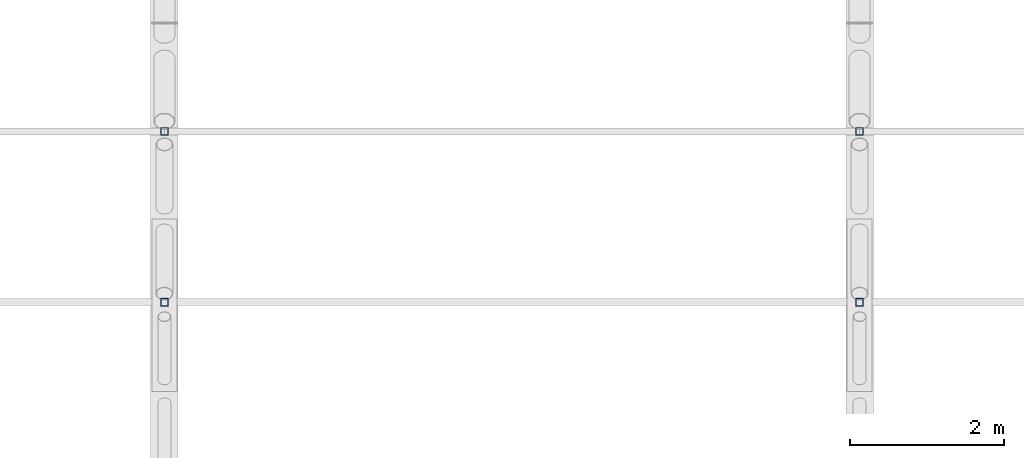
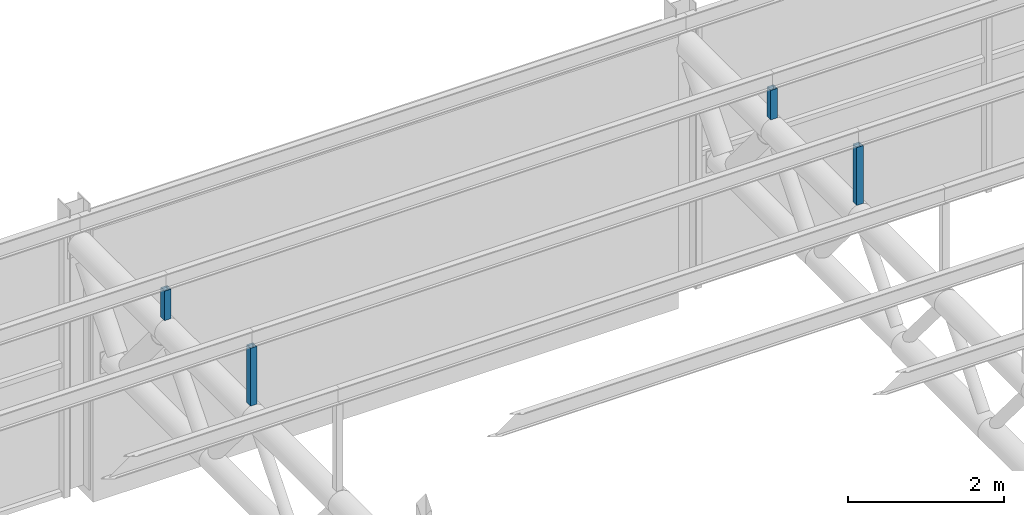
# One storey, part 95 of 138: 4 members.
"""IFC4 building model written with IfcOpenShell, lengths in metres."""

from ifc_helpers import new_model, si_unit, direction, frame, origin, origin_2d, place, context, subcontext, project, spatial, hollow_rectangle, extrude, material, material_profile, profile_set, type_object, element, save


model = new_model("IFC4")

# Units and contexts
model_context = context("Model", 3, precision=1e-05, world=origin(), true_north=direction((0.0, 1.0)))
body_context = subcontext(model_context, "Body", "Model", "MODEL_VIEW")
ifc_project = project(units=[si_unit("LENGTHUNIT", "METRE"), si_unit("AREAUNIT", "SQUARE_METRE"), si_unit("VOLUMEUNIT", "CUBIC_METRE"), si_unit("PLANEANGLEUNIT", "RADIAN"), si_unit("MASSUNIT", "GRAM", prefix="KILO")], contexts=[model_context])

# Site, building, storey
site_placement = place(None, origin())
site = spatial("IfcSite", under=ifc_project, at=site_placement, CompositionType="ELEMENT")
building_placement = place(site_placement, origin())
building = spatial("IfcBuilding", under=site, at=building_placement, Name="Corbel Yard City Hall", CompositionType="ELEMENT")
storey_placement = place(building_placement, frame((0.0, 0.0, 10.5)))
storey = spatial("IfcBuildingStorey", under=building, at=storey_placement, Name="L02", CompositionType="ELEMENT", Elevation=10.5)

# Members
ifc_material = material(Name="Steel Grade C450L0", Category="steel")
ifc_material_profile = material_profile(ifc_material, hollow_rectangle(XDim=0.10009765625, YDim=0.10009765625, WallThickness=0.006103515625, at=origin_2d()), Name="100x100x6.0SHS")
ifc_profile_set = profile_set([ifc_material_profile], Name="Steel Grade C450L0")
member_type = type_object("IfcMemberType", Name="Roof post 100x100x6.0SHS", PredefinedType="POST", material=ifc_profile_set)
member_1_placement = place(storey_placement, frame((117.0, 22.423828125, 4.10009765625), z_axis=(0.0, 0.0, 1.0), x_axis=(1.0, 0.0, 0.0)))
element("IfcMember", 1, at=member_1_placement, inside=storey, type_object=member_type, Name="Roof post 100x100x6.0SHS RP3", PredefinedType="POST", context=body_context, shape_type="SweptSolid", body=[
    extrude(hollow_rectangle(XDim=0.10009765625, YDim=0.10009765625, WallThickness=0.006103515625, at=origin_2d()), origin(), (0.0, 0.0, 1.0), 0.90625),
])
member_2_placement = place(storey_placement, frame((117.0, 24.6357421875, 4.10009765625), z_axis=(0.0, 0.0, 1.0), x_axis=(1.0, 0.0, 0.0)))
element("IfcMember", 2, at=member_2_placement, inside=storey, type_object=member_type, Name="Roof post 100x100x6.0SHS RP3", PredefinedType="POST", context=body_context, shape_type="SweptSolid", body=[
    extrude(hollow_rectangle(XDim=0.10009765625, YDim=0.10009765625, WallThickness=0.006103515625, at=origin_2d()), origin(), (0.0, 0.0, 1.0), 0.4638671875),
])
member_3_placement = place(storey_placement, frame((126.0, 22.423828125, 4.10009765625), z_axis=(0.0, 0.0, 1.0), x_axis=(1.0, 0.0, 0.0)))
element("IfcMember", 3, at=member_3_placement, inside=storey, type_object=member_type, Name="Roof post 100x100x6.0SHS RP3", PredefinedType="POST", context=body_context, shape_type="SweptSolid", body=[
    extrude(hollow_rectangle(XDim=0.10009765625, YDim=0.10009765625, WallThickness=0.006103515625, at=origin_2d()), origin(), (0.0, 0.0, 1.0), 0.90625),
])
member_4_placement = place(storey_placement, frame((126.0, 24.6357421875, 4.10009765625), z_axis=(0.0, 0.0, 1.0), x_axis=(1.0, 0.0, 0.0)))
element("IfcMember", 4, at=member_4_placement, inside=storey, type_object=member_type, Name="Roof post 100x100x6.0SHS RP3", PredefinedType="POST", context=body_context, shape_type="SweptSolid", body=[
    extrude(hollow_rectangle(XDim=0.10009765625, YDim=0.10009765625, WallThickness=0.006103515625, at=origin_2d()), origin(), (0.0, 0.0, 1.0), 0.4638671875),
])

save(model, "model.ifc")
